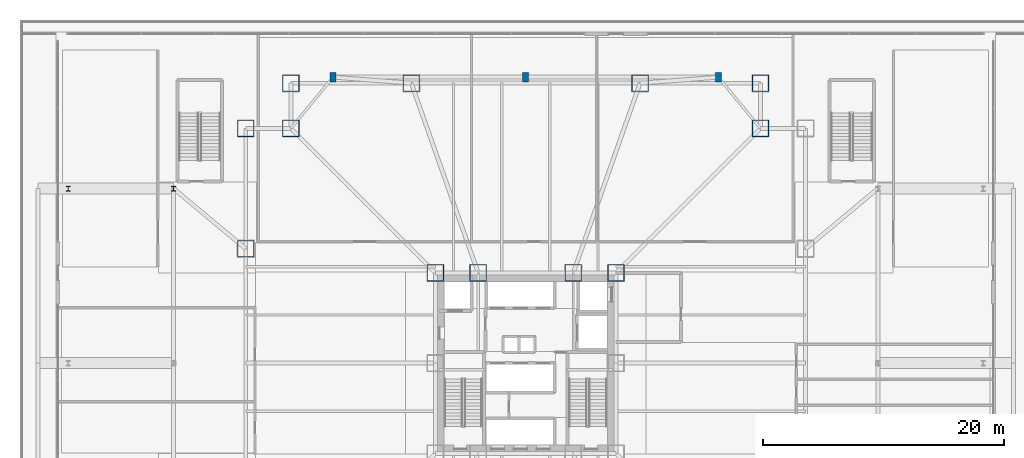
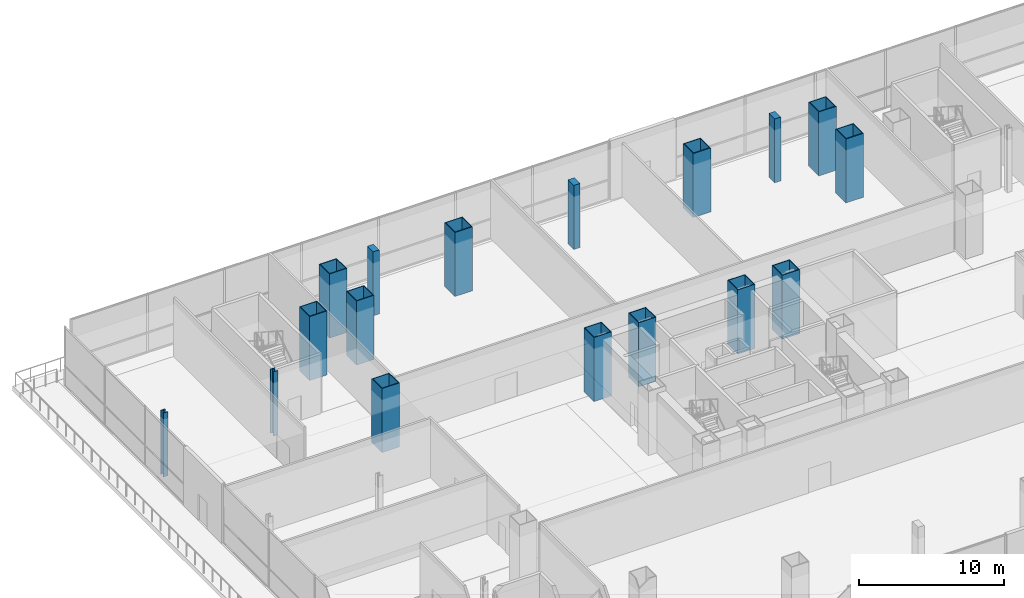
# One storey, part 2 of 36: 17 columns.
"""IFC4 building model written with IfcOpenShell, lengths in metres."""

from ifc_helpers import new_model, si_unit, direction, frame, origin, origin_2d, place, context, subcontext, project, spatial, rectangle, hollow_rectangle, i_section, extrude, material, material_profile, profile_set, type_object, element, save


model = new_model("IFC4")

# Units and contexts
model_context = context("Model", 3, precision=1e-05, world=origin(), true_north=direction((0.0, 1.0)))
body_context = subcontext(model_context, "Body", "Model", "MODEL_VIEW")
ifc_project = project(units=[si_unit("LENGTHUNIT", "METRE"), si_unit("AREAUNIT", "SQUARE_METRE"), si_unit("VOLUMEUNIT", "CUBIC_METRE"), si_unit("PLANEANGLEUNIT", "RADIAN"), si_unit("MASSUNIT", "GRAM", prefix="KILO")], contexts=[model_context])

# Site, building, storey
site_placement = place(None, origin())
site = spatial("IfcSite", under=ifc_project, at=site_placement, CompositionType="ELEMENT")
building_placement = place(site_placement, origin())
building = spatial("IfcBuilding", under=site, at=building_placement, Name="Trevonay Congress Spire", CompositionType="ELEMENT")
storey_placement = place(building_placement, frame((0.0, 0.0, 5.39990234375)))
storey = spatial("IfcBuildingStorey", under=building, at=storey_placement, Name="L01", CompositionType="ELEMENT", Elevation=5.39990234375)

# Columns
ifc_material_1 = material(Name="Steel ASTM A572 Grade 50", Category="steel")
ifc_material_profile_1 = material_profile(ifc_material_1, hollow_rectangle(XDim=1.39990234375, YDim=1.39990234375, WallThickness=0.06005859375, at=origin_2d()), Name="BOX 1400x1400x60")
ifc_profile_set_1 = profile_set([ifc_material_profile_1], Name="Steel ASTM A572 Grade 50")
column_type_1 = type_object("IfcColumnType", Name="COL-CORE-BOX1400", PredefinedType="COLUMN", material=ifc_profile_set_1)
for number, where, z_axis, x_axis, name in (
    (1, (7.5, 7.5, 0.0), (0.0, 0.0, 1.0), (1.0, 0.0, 0.0), "L01 column C01 at CC-NE"),
    (2, (3.949951171875, 7.5, 0.0), (0.0, 0.0, 1.0), (1.0, 0.0, 0.0), "L01 column C01 at CC-NME"),
    (3, (-3.949951171875, 7.5, 0.0), (0.0, 0.0, 1.0), (1.0, 0.0, 0.0), "L01 column C01 at CC-NMW"),
    (4, (-7.5, 7.5, 0.0), (0.0, 0.0, 1.0), (1.0, 0.0, 0.0), "L01 column C01 at CC-NW"),
    (5, (-19.5, 23.25, 0.0), (0.0, 0.0, 1.0), (1.0, 0.0, 0.0), "L01 column C01 at TM-N1"),
    (6, (-9.5, 23.25, 0.0), (0.0, 0.0, 1.0), (1.0, 0.0, 0.0), "L01 column C01 at TM-N2"),
    (7, (9.5, 23.25, 0.0), (0.0, 0.0, 1.0), (1.0, 0.0, 0.0), "L01 column C01 at TM-N5"),
    (8, (19.5, 23.25, 0.0), (0.0, 0.0, 1.0), (1.0, 0.0, 0.0), "L01 column C01 at TM-N6"),
    (9, (-23.25, 9.5, 0.0), (0.0, 0.0, 1.0), (1.0, 0.0, 0.0), "L01 column C01 at TM-W5"),
    (10, (-23.25, 19.5, 0.0), (0.0, 0.0, 1.0), (1.0, 0.0, 0.0), "L01 column C01 at TM-W6"),
    (11, (19.5, 19.5, 0.0), (0.0, 0.0, 1.0), (1.0, 0.0, 0.0), "L01 column C01 at TM-CNE"),
    (12, (-19.5, 19.5, 0.0), (0.0, 0.0, 1.0), (1.0, 0.0, 0.0), "L01 column C01 at TM-CNW"),
):
    element("IfcColumn", number, at=place(storey_placement, frame(where, z_axis=z_axis, x_axis=x_axis)), inside=storey, type_object=column_type_1, Name=name, PredefinedType="COLUMN", context=body_context, shape_type="SweptSolid", body=[
        extrude(hollow_rectangle(XDim=1.39990234375, YDim=1.39990234375, WallThickness=0.06005859375, at=origin_2d()), origin(), (0.0, 0.0, 1.0), 5.400146484375),
    ])
ifc_material_2 = material(Name="Concrete C60/75", Category="concrete")
ifc_material_profile_2 = material_profile(ifc_material_2, rectangle(XDim=0.5, YDim=0.800048828125, at=origin_2d()), Name="RC 800x500")
ifc_profile_set_2 = profile_set([ifc_material_profile_2], Name="Concrete C60/75")
column_type_2 = type_object("IfcColumnType", Name="COL-PIL-RC800X500", PredefinedType="PILASTER", material=ifc_profile_set_2)
for number, where, z_axis, x_axis, name in (
    (13, (-16.0, 23.75, 0.0), (0.0, 0.0, 1.0), (1.0, 0.0, 0.0), "L01 column C13 at PN-1"),
    (14, (0.0, 23.75, 0.0), (0.0, 0.0, 1.0), (1.0, 0.0, 0.0), "L01 column C13 at PN-2"),
    (15, (16.0, 23.75, 0.0), (0.0, 0.0, 1.0), (1.0, 0.0, 0.0), "L01 column C13 at PN-3"),
):
    element("IfcColumn", number, at=place(storey_placement, frame(where, z_axis=z_axis, x_axis=x_axis)), inside=storey, type_object=column_type_2, Name=name, PredefinedType="PILASTER", context=body_context, shape_type="SweptSolid", body=[
        extrude(rectangle(XDim=0.5, YDim=0.800048828125, at=origin_2d()), origin(), (0.0, 0.0, 1.0), 5.400146484375),
    ])
ifc_material_profile_3 = material_profile(ifc_material_1, i_section(OverallWidth=0.367919921875, OverallDepth=0.425048828125, WebThickness=0.02978515625, FlangeThickness=0.047607421875, FilletRadius=0.02001953125, at=origin_2d()), Name="W360x421")
ifc_profile_set_3 = profile_set([ifc_material_profile_3], Name="Steel ASTM A572 Grade 50")
column_type_3 = type_object("IfcColumnType", Name="COL-POD-W360X421", PredefinedType="COLUMN", material=ifc_profile_set_3)
column_1_placement = place(storey_placement, frame((-29.25, 14.5, 0.0), z_axis=(0.0, 0.0, 1.0), x_axis=(1.0, 0.0, 0.0)))
element("IfcColumn", 16, at=column_1_placement, inside=storey, type_object=column_type_3, Name="L01 column C08 at PW-3", PredefinedType="COLUMN", context=body_context, shape_type="SweptSolid", body=[
    extrude(i_section(OverallWidth=0.367919921875, OverallDepth=0.425048828125, WebThickness=0.02978515625, FlangeThickness=0.047607421875, FilletRadius=0.02001953125, at=origin_2d()), origin(), (0.0, 0.0, 1.0), 5.400146484375),
])
ifc_material_profile_4 = material_profile(ifc_material_1, i_section(OverallWidth=0.35205078125, OverallDepth=0.406982421875, WebThickness=0.024658203125, FlangeThickness=0.039794921875, FilletRadius=0.02001953125, at=origin_2d()), Name="W360x347")
ifc_profile_set_4 = profile_set([ifc_material_profile_4], Name="Steel ASTM A572 Grade 50")
column_type_4 = type_object("IfcColumnType", Name="COL-STEP-W360X347", PredefinedType="COLUMN", material=ifc_profile_set_4)
column_2_placement = place(storey_placement, frame((-38.0, 14.5, -0.39990234375), z_axis=(0.0, 0.0, 1.0), x_axis=(1.0, 0.0, 0.0)))
element("IfcColumn", 17, at=column_2_placement, inside=storey, type_object=column_type_4, Name="L01 column C09 at SW-3", PredefinedType="COLUMN", context=body_context, shape_type="SweptSolid", body=[
    extrude(i_section(OverallWidth=0.35205078125, OverallDepth=0.406982421875, WebThickness=0.024658203125, FlangeThickness=0.039794921875, FilletRadius=0.02001953125, at=origin_2d()), origin(), (0.0, 0.0, 1.0), 5.39990234375),
])

save(model, "model.ifc")
